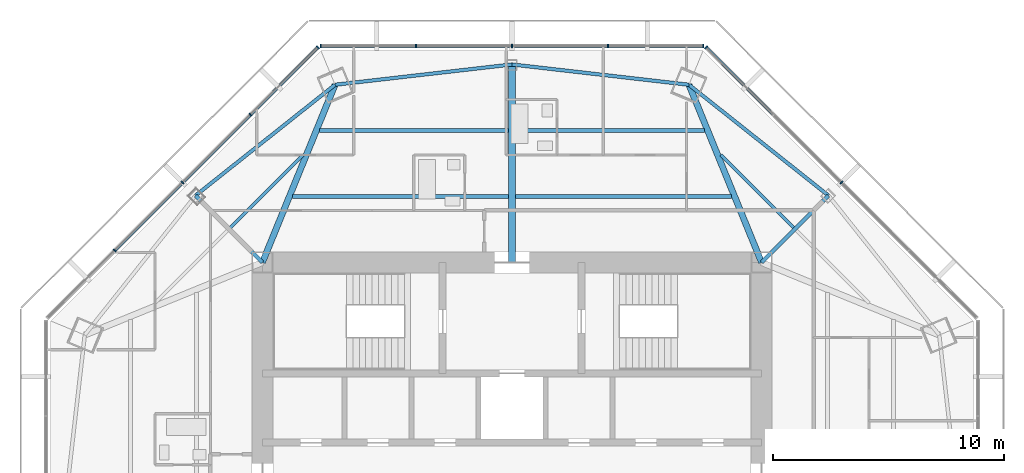
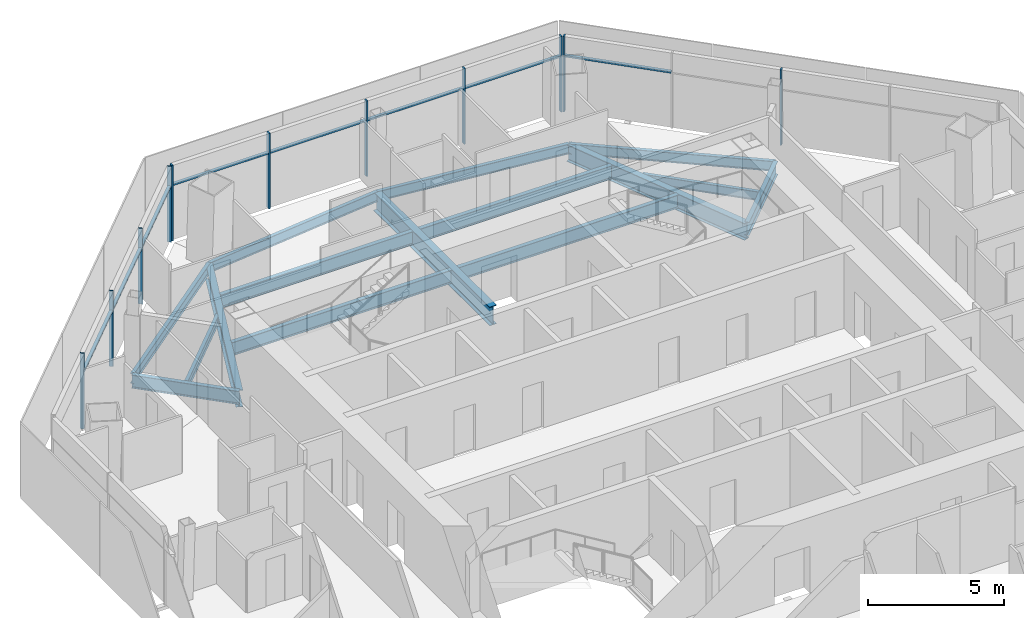
# One storey, part 6 of 15: 19 members, 15 beams, 3 elements without a shape of their own.
"""IFC4 building model written with IfcOpenShell, lengths in metres."""

from ifc_helpers import new_model, si_unit, direction, frame, origin, origin_2d, place, context, subcontext, project, spatial, rectangle, i_section, extrude, source, transform, mapped, material, material_profile, profile_set, type_object, type_shapes, element, aggregate, save


model = new_model("IFC4")

# Units and contexts
model_context = context("Model", 3, precision=1e-05, world=origin(), true_north=direction((0.0, 1.0)))
body_context = subcontext(model_context, "Body", "Model", "MODEL_VIEW")
ifc_project = project(units=[si_unit("LENGTHUNIT", "METRE"), si_unit("AREAUNIT", "SQUARE_METRE"), si_unit("VOLUMEUNIT", "CUBIC_METRE"), si_unit("PLANEANGLEUNIT", "RADIAN"), si_unit("MASSUNIT", "GRAM", prefix="KILO")], contexts=[model_context])

# Site, building, storey
site_placement = place(None, origin())
site = spatial("IfcSite", under=ifc_project, at=site_placement, CompositionType="ELEMENT")
building_placement = place(site_placement, origin())
building = spatial("IfcBuilding", under=site, at=building_placement, Name="Mashrafa Tower", CompositionType="ELEMENT")
storey_placement = place(building_placement, frame((0.0, 0.0, 277.60009765625)))
storey = spatial("IfcBuildingStorey", under=building, at=storey_placement, Name="L67", CompositionType="ELEMENT", Elevation=277.60009765625)

# Beams
ifc_material_1 = material(Name="Steel ASTM A992", Category="steel")
ifc_material_profile_1 = material_profile(ifc_material_1, i_section(OverallWidth=0.140380859375, OverallDepth=0.40380859375, WebThickness=0.007080078125, FlangeThickness=0.01123046875, FilletRadius=0.01025390625, at=origin_2d()), Name="W16X31")
ifc_profile_set_1 = profile_set([ifc_material_profile_1], Name="Steel ASTM A992")
beam_type_1 = type_object("IfcBeamType", Name="Beam W16X31", PredefinedType="BEAM", material=ifc_profile_set_1)
for number, where, z_axis, x_axis, name in (
    (1, (-12.1845703125, 12.310546875, -0.402099609375), (0.707106781187, 0.707106781187, 0.0), (-0.707106781187, 0.707106781187, 0.0), "Floor beam L67 007"),
    (2, (9.0439453125, 15.451171875, -0.402099609375), (0.707106781187, -0.707106781187, 0.0), (0.707106781187, 0.707106781187, 0.0), "Floor beam L67 016"),
):
    element("IfcBeam", number, at=place(storey_placement, frame(where, z_axis=z_axis, x_axis=x_axis)), inside=storey, type_object=beam_type_1, Name=name, PredefinedType="BEAM", context=body_context, shape_type="SweptSolid", body=[
        extrude(i_section(OverallWidth=0.140380859375, OverallDepth=0.40380859375, WebThickness=0.007080078125, FlangeThickness=0.01123046875, FilletRadius=0.01025390625, at=origin_2d()), origin(), (0.0, 0.0, 1.0), 4.44140625),
    ])
ifc_material_2 = material(Name="Steel ASTM A992", Category="steel")
ifc_material_profile_2 = material_profile(ifc_material_2, i_section(OverallWidth=0.15234375, OverallDepth=0.449462890625, WebThickness=0.007568359375, FlangeThickness=0.0107421875, FilletRadius=0.01025390625, at=origin_2d()), Name="W18X35")
ifc_profile_set_2 = profile_set([ifc_material_profile_2], Name="Steel ASTM A992")
beam_type_2 = type_object("IfcBeamType", Name="Beam W18X35", PredefinedType="BEAM", material=ifc_profile_set_2)
for number, where, z_axis, x_axis, name in (
    (3, (-7.658447265625, 18.4892578125, -0.4248046875), (-0.783057768941, -0.62194897741, 0.0), (0.62194897741, -0.783057768941, 0.0), "Spandrel beam L67 047"),
    (4, (0.0, 19.367431640625, -0.4248046875), (-0.993489829631, -0.113920842781, 0.0), (0.113920842781, -0.993489829631, 0.0), "Spandrel beam L67 049"),
    (5, (7.658447265625, 18.4892578125, -0.4248046875), (-0.993489829631, 0.113920842781, 0.0), (-0.113920842781, -0.993489829631, 0.0), "Spandrel beam L67 051"),
    (6, (13.69482421875, 13.69482421875, -0.4248046875), (-0.783057768941, 0.62194897741, 0.0), (-0.62194897741, -0.783057768941, 0.0), "Spandrel beam L67 053"),
):
    element("IfcBeam", number, at=place(storey_placement, frame(where, z_axis=z_axis, x_axis=x_axis)), inside=storey, type_object=beam_type_2, Name=name, PredefinedType="BEAM", context=body_context, shape_type="SweptSolid", body=[
        extrude(i_section(OverallWidth=0.15234375, OverallDepth=0.449462890625, WebThickness=0.007568359375, FlangeThickness=0.0107421875, FilletRadius=0.01025390625, at=origin_2d()), origin(), (0.0, 0.0, 1.0), 7.708740234375),
    ])
ifc_material_3 = material(Name="Steel ASTM A992", Category="steel")
ifc_material_profile_3 = material_profile(ifc_material_3, i_section(OverallWidth=0.177978515625, OverallDepth=0.599365234375, WebThickness=0.010009765625, FlangeThickness=0.012939453125, FilletRadius=0.012939453125, at=origin_2d()), Name="W24X55")
ifc_profile_set_3 = profile_set([ifc_material_profile_3], Name="Steel ASTM A992")
beam_type_3 = type_object("IfcBeamType", Name="Beam W24X55", PredefinedType="BEAM", material=ifc_profile_set_3)
beam_1_placement = place(storey_placement, frame((-9.4892578125, 13.65576171875, -0.499755859375), z_axis=(1.0, 0.0, 0.0), x_axis=(0.0, 1.0, 0.0)))
element("IfcBeam", 7, at=beam_1_placement, inside=storey, type_object=beam_type_3, Name="Floor beam L67 008", PredefinedType="BEAM", context=body_context, shape_type="SweptSolid", body=[
    extrude(i_section(OverallWidth=0.177978515625, OverallDepth=0.599365234375, WebThickness=0.010009765625, FlangeThickness=0.012939453125, FilletRadius=0.012939453125, at=origin_2d()), origin(), (0.0, 0.0, 1.0), 9.34326171875),
])
beam_2_placement = place(storey_placement, frame((-8.322509765625, 16.51171875, -0.499755859375), z_axis=(1.0, 0.0, 0.0), x_axis=(0.0, 1.0, 0.0)))
element("IfcBeam", 8, at=beam_2_placement, inside=storey, type_object=beam_type_3, Name="Floor beam L67 010", PredefinedType="BEAM", context=body_context, shape_type="SweptSolid", body=[
    extrude(i_section(OverallWidth=0.177978515625, OverallDepth=0.599365234375, WebThickness=0.010009765625, FlangeThickness=0.012939453125, FilletRadius=0.012939453125, at=origin_2d()), origin(), (0.0, 0.0, 1.0), 8.176513671875),
])
beam_3_placement = place(storey_placement, frame((0.14599609375, 13.65576171875, -0.499755859375), z_axis=(1.0, 0.0, 0.0), x_axis=(0.0, 1.0, 0.0)))
element("IfcBeam", 9, at=beam_3_placement, inside=storey, type_object=beam_type_3, Name="Floor beam L67 013", PredefinedType="BEAM", context=body_context, shape_type="SweptSolid", body=[
    extrude(i_section(OverallWidth=0.177978515625, OverallDepth=0.599365234375, WebThickness=0.010009765625, FlangeThickness=0.012939453125, FilletRadius=0.012939453125, at=origin_2d()), origin(), (0.0, 0.0, 1.0), 9.34326171875),
])
beam_4_placement = place(storey_placement, frame((0.14599609375, 16.51171875, -0.499755859375), z_axis=(1.0, 0.0, 0.0), x_axis=(0.0, 1.0, 0.0)))
element("IfcBeam", 10, at=beam_4_placement, inside=storey, type_object=beam_type_3, Name="Floor beam L67 014", PredefinedType="BEAM", context=body_context, shape_type="SweptSolid", body=[
    extrude(i_section(OverallWidth=0.177978515625, OverallDepth=0.599365234375, WebThickness=0.010009765625, FlangeThickness=0.012939453125, FilletRadius=0.012939453125, at=origin_2d()), origin(), (0.0, 0.0, 1.0), 8.176513671875),
])
for number, where, z_axis, x_axis, name in (
    (11, (-10.800048828125, 10.800048828125, -0.499755859375), (-0.707106781187, 0.707106781187, 0.0), (-0.707106781187, -0.707106781187, 0.0), "Radial girder L67 030"),
    (12, (10.800048828125, 10.800048828125, -0.499755859375), (0.707106781187, 0.707106781187, 0.0), (-0.707106781187, 0.707106781187, 0.0), "Radial girder L67 039"),
):
    element("IfcBeam", number, at=place(storey_placement, frame(where, z_axis=z_axis, x_axis=x_axis)), inside=storey, type_object=beam_type_3, Name=name, PredefinedType="BEAM", context=body_context, shape_type="SweptSolid", body=[
        extrude(i_section(OverallWidth=0.177978515625, OverallDepth=0.599365234375, WebThickness=0.010009765625, FlangeThickness=0.012939453125, FilletRadius=0.012939453125, at=origin_2d()), origin(), (0.0, 0.0, 1.0), 4.09375),
    ])
ifc_material_4 = material(Name="Steel ASTM A992", Category="steel")
ifc_material_profile_4 = material_profile(ifc_material_4, i_section(OverallWidth=0.2666015625, OverallDepth=0.761962890625, WebThickness=0.014404296875, FlangeThickness=0.021484375, FilletRadius=0.0166015625, at=origin_2d()), Name="W30X116")
ifc_profile_set_4 = profile_set([ifc_material_profile_4], Name="Steel ASTM A992")
beam_type_4 = type_object("IfcBeamType", Name="Beam W30X116", PredefinedType="BEAM", material=ifc_profile_set_4)
for number, where, z_axis, x_axis, name in (
    (13, (-10.800048828125, 10.800048828125, -0.5810546875), (0.378221938495, 0.925714948157, 0.0), (-0.925714948157, 0.378221938495, 0.0), "Radial girder L67 031"),
    (14, (10.800048828125, 10.800048828125, -0.5810546875), (-0.378221938495, 0.925714948157, 0.0), (-0.925714948157, -0.378221938495, 0.0), "Radial girder L67 038"),
):
    element("IfcBeam", number, at=place(storey_placement, frame(where, z_axis=z_axis, x_axis=x_axis)), inside=storey, type_object=beam_type_4, Name=name, PredefinedType="BEAM", context=body_context, shape_type="SweptSolid", body=[
        extrude(i_section(OverallWidth=0.2666015625, OverallDepth=0.761962890625, WebThickness=0.014404296875, FlangeThickness=0.021484375, FilletRadius=0.0166015625, at=origin_2d()), origin(), (0.0, 0.0, 1.0), 8.30615234375),
    ])
ifc_material_5 = material(Name="Steel ASTM A992", Category="steel")
ifc_material_profile_5 = material_profile(ifc_material_5, i_section(OverallWidth=0.2919921875, OverallDepth=0.845703125, WebThickness=0.015380859375, FlangeThickness=0.0244140625, FilletRadius=0.017333984375, at=origin_2d()), Name="W33X141")
ifc_profile_set_5 = profile_set([ifc_material_profile_5], Name="Steel ASTM A992")
beam_type_5 = type_object("IfcBeamType", Name="Beam W33X141", PredefinedType="BEAM", material=ifc_profile_set_5)
beam_5_placement = place(storey_placement, frame((0.0, 10.800048828125, -0.623046875), z_axis=(0.0, 1.0, 0.0), x_axis=(-1.0, 0.0, 0.0)))
element("IfcBeam", 15, at=beam_5_placement, inside=storey, type_object=beam_type_5, Name="Radial girder L67 033", PredefinedType="BEAM", context=body_context, shape_type="SweptSolid", body=[
    extrude(i_section(OverallWidth=0.2919921875, OverallDepth=0.845703125, WebThickness=0.015380859375, FlangeThickness=0.0244140625, FilletRadius=0.017333984375, at=origin_2d()), origin(), (0.0, 0.0, 1.0), 8.5673828125),
])

# Curtain wall, members
ifc_material_6 = material(Name="Unitised aluminium curtain wall", Category="aluminium")
curtain_wall_type = type_object("IfcCurtainWallType", Name="Apartment curtain wall, zone 4 CW-D 160 deep", PredefinedType="NOTDEFINED", material=ifc_material_6)
curtain_wall_1_placement = place(storey_placement, origin())
curtain_wall_1 = element("IfcCurtainWall", 16, at=curtain_wall_1_placement, inside=storey, type_object=curtain_wall_type, Name="Apartment curtain wall, zone 4 L67 north-east", PredefinedType="NOTDEFINED")
ifc_material_7 = material(Name="Extruded aluminium mullion", Category="aluminium")
ifc_material_profile_6 = material_profile(ifc_material_7, rectangle(XDim=0.159912109375, YDim=0.06005859375, at=origin_2d()), Name="Mullion 60x160")
ifc_profile_set_6 = profile_set([ifc_material_profile_6], Name="Extruded aluminium mullion")
member_type_1 = type_object("IfcMemberType", Name="Mullion CW-D 60 x 160", PredefinedType="MULLION", material=ifc_profile_set_6)
shared_shape_1 = source(origin(), body_context, "Body", "SweptSolid", [
    extrude(rectangle(XDim=0.159912109375, YDim=0.06005859375, at=origin_2d()), origin(), (0.0, 0.0, 1.0), 3.39990234375),
])
type_shapes(member_type_1, [shared_shape_1])
member_1_placement = place(storey_placement, frame((14.256591796875, 14.256591796875, 0.0), z_axis=(0.0, 0.0, 1.0), x_axis=(-0.707106781187, -0.707106781187, 0.0)))
member_1 = element("IfcMember", 17, at=member_1_placement, type_object=member_type_1, Name="CW-D mullion 3", PredefinedType="MULLION", context=body_context, shape_type="MappedRepresentation", body=[
    mapped(shared_shape_1, transform((0.0, 0.0, 0.0))),
])
member_2_placement = place(storey_placement, frame((8.403076171875, 20.110107421875, 0.0), z_axis=(0.0, 0.0, 1.0), x_axis=(-0.707106781187, -0.707106781187, 0.0)))
member_2 = element("IfcMember", 18, at=member_2_placement, type_object=member_type_1, Name="CW-D mullion 5", PredefinedType="MULLION", context=body_context, shape_type="MappedRepresentation", body=[
    mapped(shared_shape_1, transform((0.0, 0.0, 0.0))),
])

curtain_wall_2_placement = place(storey_placement, origin())
curtain_wall_2 = element("IfcCurtainWall", 19, at=curtain_wall_2_placement, inside=storey, type_object=curtain_wall_type, Name="Apartment curtain wall, zone 4 L67 north", PredefinedType="NOTDEFINED")
member_3_placement = place(storey_placement, frame((8.278076171875, 20.161865234375, 0.0), z_axis=(0.0, 0.0, 1.0), x_axis=(0.0, -1.0, 0.0)))
member_3 = element("IfcMember", 20, at=member_3_placement, type_object=member_type_1, Name="CW-D mullion 1", PredefinedType="MULLION", context=body_context, shape_type="MappedRepresentation", body=[
    mapped(shared_shape_1, transform((0.0, 0.0, 0.0))),
])
member_4_placement = place(storey_placement, frame((4.154052734375, 20.161865234375, 0.0), z_axis=(0.0, 0.0, 1.0), x_axis=(0.0, -1.0, 0.0)))
member_4 = element("IfcMember", 21, at=member_4_placement, type_object=member_type_1, Name="CW-D mullion 2", PredefinedType="MULLION", context=body_context, shape_type="MappedRepresentation", body=[
    mapped(shared_shape_1, transform((0.0, 0.0, 0.0))),
])
member_5_placement = place(storey_placement, frame((0.0, 20.161865234375, 0.0), z_axis=(0.0, 0.0, 1.0), x_axis=(0.0, -1.0, 0.0)))
member_5 = element("IfcMember", 22, at=member_5_placement, type_object=member_type_1, Name="CW-D mullion 3", PredefinedType="MULLION", context=body_context, shape_type="MappedRepresentation", body=[
    mapped(shared_shape_1, transform((0.0, 0.0, 0.0))),
])
member_6_placement = place(storey_placement, frame((-4.154052734375, 20.161865234375, 0.0), z_axis=(0.0, 0.0, 1.0), x_axis=(0.0, -1.0, 0.0)))
member_6 = element("IfcMember", 23, at=member_6_placement, type_object=member_type_1, Name="CW-D mullion 4", PredefinedType="MULLION", context=body_context, shape_type="MappedRepresentation", body=[
    mapped(shared_shape_1, transform((0.0, 0.0, 0.0))),
])
member_7_placement = place(storey_placement, frame((-8.278076171875, 20.161865234375, 0.0), z_axis=(0.0, 0.0, 1.0), x_axis=(0.0, -1.0, 0.0)))
member_7 = element("IfcMember", 24, at=member_7_placement, type_object=member_type_1, Name="CW-D mullion 5", PredefinedType="MULLION", context=body_context, shape_type="MappedRepresentation", body=[
    mapped(shared_shape_1, transform((0.0, 0.0, 0.0))),
])

curtain_wall_3_placement = place(storey_placement, origin())
curtain_wall_3 = element("IfcCurtainWall", 25, at=curtain_wall_3_placement, inside=storey, type_object=curtain_wall_type, Name="Apartment curtain wall, zone 4 L67 north-west", PredefinedType="NOTDEFINED")
member_8_placement = place(storey_placement, frame((-8.403076171875, 20.110107421875, 0.0), z_axis=(0.0, 0.0, 1.0), x_axis=(0.707106781187, -0.707106781187, 0.0)))
member_8 = element("IfcMember", 26, at=member_8_placement, type_object=member_type_1, Name="CW-D mullion 1", PredefinedType="MULLION", context=body_context, shape_type="MappedRepresentation", body=[
    mapped(shared_shape_1, transform((0.0, 0.0, 0.0))),
])
member_9_placement = place(storey_placement, frame((-11.319091796875, 17.19384765625, 0.0), z_axis=(0.0, 0.0, 1.0), x_axis=(0.707106781187, -0.707106781187, 0.0)))
member_9 = element("IfcMember", 27, at=member_9_placement, type_object=member_type_1, Name="CW-D mullion 2", PredefinedType="MULLION", context=body_context, shape_type="MappedRepresentation", body=[
    mapped(shared_shape_1, transform((0.0, 0.0, 0.0))),
])
member_10_placement = place(storey_placement, frame((-14.256591796875, 14.256591796875, 0.0), z_axis=(0.0, 0.0, 1.0), x_axis=(0.707106781187, -0.707106781187, 0.0)))
member_10 = element("IfcMember", 28, at=member_10_placement, type_object=member_type_1, Name="CW-D mullion 3", PredefinedType="MULLION", context=body_context, shape_type="MappedRepresentation", body=[
    mapped(shared_shape_1, transform((0.0, 0.0, 0.0))),
])
member_11_placement = place(storey_placement, frame((-17.19384765625, 11.319091796875, 0.0), z_axis=(0.0, 0.0, 1.0), x_axis=(0.707106781187, -0.707106781187, 0.0)))
member_11 = element("IfcMember", 29, at=member_11_placement, type_object=member_type_1, Name="CW-D mullion 4", PredefinedType="MULLION", context=body_context, shape_type="MappedRepresentation", body=[
    mapped(shared_shape_1, transform((0.0, 0.0, 0.0))),
])

# Member
ifc_material_8 = material(Name="Extruded aluminium transom", Category="aluminium")
ifc_material_profile_7 = material_profile(ifc_material_8, rectangle(XDim=0.1279296875, YDim=0.074951171875, at=origin_2d()), Name="Transom 75x128")
ifc_profile_set_7 = profile_set([ifc_material_profile_7], Name="Extruded aluminium transom")
member_type_2 = type_object("IfcMemberType", Name="Transom CW-D 75 x 128", PredefinedType="MULLION", material=ifc_profile_set_7)
shared_shape_2 = source(origin(), body_context, "Body", "SweptSolid", [
    extrude(rectangle(XDim=0.1279296875, YDim=0.074951171875, at=origin_2d()), origin(), (0.0, 0.0, 1.0), 4.06396484375),
])
member_12_placement = place(storey_placement, frame((11.2978515625, 17.215087890625, 2.5), z_axis=(-0.707076743304, 0.707136817793, 0.0), x_axis=(-0.707136817793, -0.707076743304, 0.0)))
member_12 = element("IfcMember", 30, at=member_12_placement, type_object=member_type_2, Name="CW-D transom 4", PredefinedType="MULLION", context=body_context, shape_type="MappedRepresentation", body=[
    mapped(shared_shape_2, transform((0.0, 0.0, 0.0))),
])

aggregate(curtain_wall_1, [member_1, member_2, member_12])

member_13_placement = place(storey_placement, frame((8.248046875, 20.161865234375, 2.5), z_axis=(-1.0, 0.0, 0.0), x_axis=(0.0, -1.0, 0.0)))
member_13 = element("IfcMember", 31, at=member_13_placement, type_object=member_type_2, Name="CW-D transom 1", PredefinedType="MULLION", context=body_context, shape_type="MappedRepresentation", body=[
    mapped(shared_shape_2, transform((0.0, 0.0, 0.0))),
])

member_14_placement = place(storey_placement, frame((-4.18408203125, 20.161865234375, 2.5), z_axis=(-1.0, 0.0, 0.0), x_axis=(0.0, -1.0, 0.0)))
member_14 = element("IfcMember", 32, at=member_14_placement, type_object=member_type_2, Name="CW-D transom 4", PredefinedType="MULLION", context=body_context, shape_type="MappedRepresentation", body=[
    mapped(shared_shape_2, transform((0.0, 0.0, 0.0))),
])

member_15_placement = place(storey_placement, frame((-8.42431640625, 20.0888671875, 2.5), z_axis=(-0.707076743304, -0.707136817793, 0.0), x_axis=(0.707136817793, -0.707076743304, 0.0)))
member_15 = element("IfcMember", 33, at=member_15_placement, type_object=member_type_2, Name="CW-D transom 1", PredefinedType="MULLION", context=body_context, shape_type="MappedRepresentation", body=[
    mapped(shared_shape_2, transform((0.0, 0.0, 0.0))),
])

shared_shape_3 = source(origin(), body_context, "Body", "SweptSolid", [
    extrude(rectangle(XDim=0.1279296875, YDim=0.074951171875, at=origin_2d()), origin(), (0.0, 0.0, 1.0), 4.093994140625),
])
type_shapes(member_type_2, [shared_shape_2, shared_shape_3])
member_16_placement = place(storey_placement, frame((4.1240234375, 20.161865234375, 2.5), z_axis=(-1.0, 0.0, 0.0), x_axis=(0.0, -1.0, 0.0)))
member_16 = element("IfcMember", 34, at=member_16_placement, type_object=member_type_2, Name="CW-D transom 2", PredefinedType="MULLION", context=body_context, shape_type="MappedRepresentation", body=[
    mapped(shared_shape_3, transform((0.0, 0.0, 0.0))),
])

member_17_placement = place(storey_placement, frame((-0.030029296875, 20.161865234375, 2.5), z_axis=(-1.0, 0.0, 0.0), x_axis=(0.0, -1.0, 0.0)))
member_17 = element("IfcMember", 35, at=member_17_placement, type_object=member_type_2, Name="CW-D transom 3", PredefinedType="MULLION", context=body_context, shape_type="MappedRepresentation", body=[
    mapped(shared_shape_3, transform((0.0, 0.0, 0.0))),
])

aggregate(curtain_wall_2, [member_3, member_4, member_5, member_6, member_7, member_13, member_16, member_17, member_14])

member_18_placement = place(storey_placement, frame((-11.34033203125, 17.172607421875, 2.5), z_axis=(-0.707136597416, -0.7070769637, 0.0), x_axis=(0.7070769637, -0.707136597416, 0.0)))
member_18 = element("IfcMember", 36, at=member_18_placement, type_object=member_type_2, Name="CW-D transom 2", PredefinedType="MULLION", context=body_context, shape_type="MappedRepresentation", body=[
    mapped(shared_shape_3, transform((0.0, 0.0, 0.0))),
])

member_19_placement = place(storey_placement, frame((-14.27783203125, 14.2353515625, 2.5), z_axis=(-0.7070769637, -0.707136597416, 0.0), x_axis=(0.707136597416, -0.7070769637, 0.0)))
member_19 = element("IfcMember", 37, at=member_19_placement, type_object=member_type_2, Name="CW-D transom 3", PredefinedType="MULLION", context=body_context, shape_type="MappedRepresentation", body=[
    mapped(shared_shape_3, transform((0.0, 0.0, 0.0))),
])

aggregate(curtain_wall_3, [member_8, member_9, member_10, member_11, member_15, member_18, member_19])

save(model, "model.ifc")
